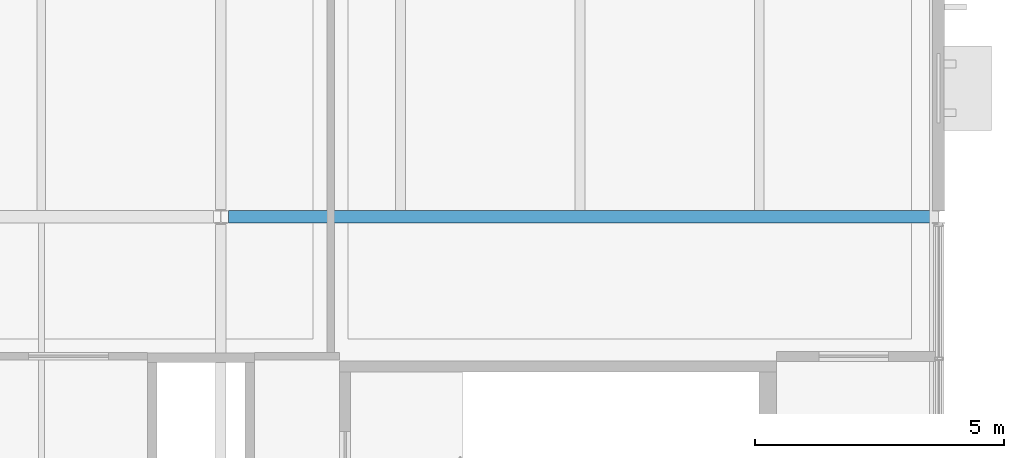
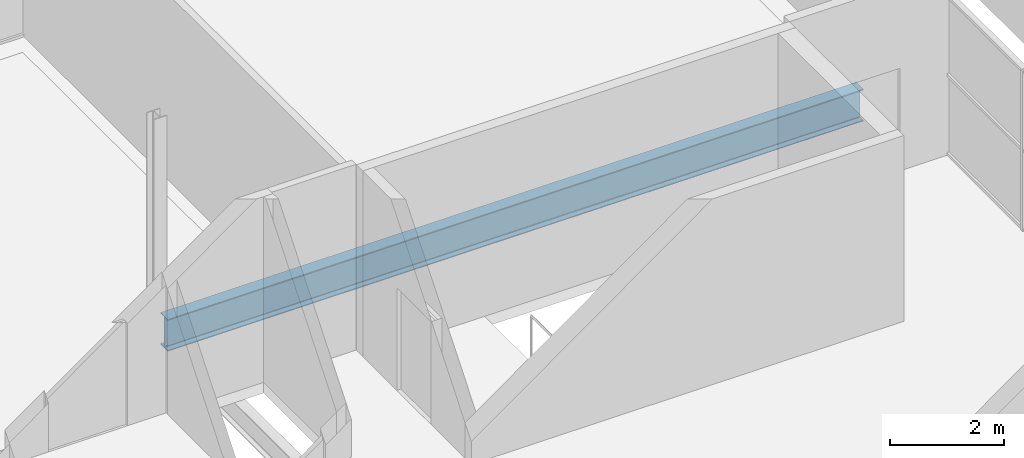
# One storey, part 32 of 43: 1 beam.
"""IFC4 building model written with IfcOpenShell, lengths in metres."""

import ifcopenshell
import ifcopenshell.guid

model = None  # the IFC model being written
_history = None  # IfcOwnerHistory: only IFC2X3 demands one
_inside = {}  # id of a spatial element -> (the spatial element, [elements in it])
_under = {}  # id of a project, library or spatial element -> (it, [spatial elements below it])
_declared = {}  # id of a project -> (the project, [libraries it declares])
_typed = {}  # id of a type object -> (the type object, [elements of that type])
_made_of = {}  # id of a material, layer set ... -> (it, [elements and type objects made of it])


def new_model(schema):
    """Start an empty IFC model of exactly this schema.

    Asked for "IFC4X3", IfcOpenShell would pick the latest addendum, in which some entities
    have other attributes; the version numbers below select the first issue.
    IFC2X3 requires an IfcOwnerHistory on every rooted entity: one is made here for all.
    """
    global model, _history
    if schema == "IFC4X3":
        model = ifcopenshell.file(schema_version=(4, 3, 0, 0))
    else:
        model = ifcopenshell.file(schema=schema)
    _inside.clear()
    _under.clear()
    _declared.clear()
    _typed.clear()
    _made_of.clear()
    _history = None
    if model.schema == "IFC2X3":
        org = make("IfcOrganization", Name="unknown")
        user = make(
            "IfcPersonAndOrganization",
            ThePerson=make("IfcPerson", FamilyName="unknown"),
            TheOrganization=org,
        )
        app = make(
            "IfcApplication",
            ApplicationDeveloper=org,
            Version="unknown",
            ApplicationFullName="unknown",
            ApplicationIdentifier="unknown",
        )
        _history = make(
            "IfcOwnerHistory",
            OwningUser=user,
            OwningApplication=app,
            ChangeAction="ADDED",
            CreationDate=0,
        )
    return model


def make(cls, **values):
    """One entity of the class cls with the attributes given. An attribute that is None is left unset."""
    return model.create_entity(
        cls, **{name: value for name, value in values.items() if value is not None}
    )


def rooted(cls, **values):
    """An entity with a GlobalId (a new one), such as an element, a storey or a relation."""
    return make(cls, GlobalId=ifcopenshell.guid.new(), OwnerHistory=_history, **values)


def si_unit(unit_type, name, prefix=None):
    """IfcSIUnit, for example si_unit("LENGTHUNIT", "METRE", prefix="MILLI")."""
    return make("IfcSIUnit", UnitType=unit_type, Prefix=prefix, Name=name)


def assignment(units):
    """IfcUnitAssignment: the units of a project."""
    return None if units is None else make("IfcUnitAssignment", Units=units)


def point(xyz):
    """IfcCartesianPoint."""
    return None if xyz is None else make("IfcCartesianPoint", Coordinates=xyz)


def direction(xyz):
    """IfcDirection."""
    return None if xyz is None else make("IfcDirection", DirectionRatios=xyz)


def frame(location, z_axis=None, x_axis=None):
    """IfcAxis2Placement3D, a coordinate frame: its origin and axes. An axis left out is left unset."""
    return make(
        "IfcAxis2Placement3D",
        Location=point(location),
        Axis=direction(z_axis),
        RefDirection=direction(x_axis),
    )


def frame_2d(location, x_axis=None):
    """IfcAxis2Placement2D, a coordinate frame in the plane: its origin and x axis."""
    return make(
        "IfcAxis2Placement2D", Location=point(location), RefDirection=direction(x_axis)
    )


def origin():
    """The frame at (0, 0, 0) with its axes left unset."""
    return frame((0.0, 0.0, 0.0))


def origin_2d():
    """The frame at (0, 0) in the plane with its x axis left unset."""
    return frame_2d((0.0, 0.0))


def place(relative_to, where):
    """IfcLocalPlacement: puts the frame where relative to a parent placement (None: the world)."""
    return make(
        "IfcLocalPlacement", PlacementRelTo=relative_to, RelativePlacement=where
    )


def context(
    kind, dimensions, precision=None, world=None, true_north=None, identifier=None
):
    """IfcGeometricRepresentationContext, for example the 3D "Model" context."""
    return make(
        "IfcGeometricRepresentationContext",
        ContextIdentifier=identifier,
        ContextType=kind,
        CoordinateSpaceDimension=dimensions,
        Precision=precision,
        WorldCoordinateSystem=world,
        TrueNorth=true_north,
    )


def subcontext(parent, identifier, kind, view, scale=None):
    """IfcGeometricRepresentationSubContext, for example "Body" below "Model"."""
    return make(
        "IfcGeometricRepresentationSubContext",
        ContextIdentifier=identifier,
        ContextType=kind,
        ParentContext=parent,
        TargetScale=scale,
        TargetView=view,
    )


def project(units=None, contexts=None):
    """IfcProject with its units and contexts."""
    return rooted(
        "IfcProject",
        Name="project",
        RepresentationContexts=contexts,
        UnitsInContext=assignment(units),
    )


def spatial(cls, under=None, at=None, **own):
    """A site, building, storey or space (cls), placed at a placement, below another one or the project."""
    s = rooted(cls, ObjectPlacement=at, **own)
    if under is not None:
        _under.setdefault(under.id(), (under, []))[1].append(s)
    return s


def profile(cls, at=None, kind="AREA", **sizes):
    """A parametric profile (cls). Its sizes go by their IFC names, for example OverallWidth=200.0."""
    return make(cls, ProfileType=kind, Position=at, **sizes)


def i_section(**sizes):
    """IfcIShapeProfileDef."""
    return profile("IfcIShapeProfileDef", **sizes)


def extrude(swept, where, along, depth):
    """IfcExtrudedAreaSolid: the profile swept, set in the frame where, extruded along a direction by depth."""
    return make(
        "IfcExtrudedAreaSolid",
        SweptArea=swept,
        Position=where,
        ExtrudedDirection=direction(along),
        Depth=depth,
    )


def shape(context_of_items, identifier, shape_type, items):
    """IfcShapeRepresentation: the items that make up one representation, for example the "Body"."""
    return make(
        "IfcShapeRepresentation",
        ContextOfItems=context_of_items,
        RepresentationIdentifier=identifier,
        RepresentationType=shape_type,
        Items=items,
    )


def material(Name=None, Category=None):
    """IfcMaterial."""
    return make("IfcMaterial", Name=Name, Category=Category)


def material_profile(
    of_material, cross_section, Name=None, Category=None, Priority=None
):
    """IfcMaterialProfile: a cross section and its material."""
    return make(
        "IfcMaterialProfile",
        Name=Name,
        Material=of_material,
        Profile=cross_section,
        Priority=Priority,
        Category=Category,
    )


def profile_set(profiles, Name=None, composite=None):
    """IfcMaterialProfileSet."""
    return make(
        "IfcMaterialProfileSet",
        Name=Name,
        MaterialProfiles=profiles,
        CompositeProfile=composite,
    )


def made_of(thing, what):
    """Note that an element or type object is made of a material, layer set ...; save() writes the relation."""
    if what is not None:
        _made_of.setdefault(what.id(), (what, []))[1].append(thing)
    return thing


def type_object(cls, material=None, **own):
    """A type object (cls), such as IfcWallType, which elements share."""
    return made_of(rooted(cls, **own), material)


def element(
    cls,
    number,
    at=None,
    inside=None,
    cuts=None,
    type_object=None,
    material=None,
    context=None,
    identifier="Body",
    shape_type=None,
    held_by="IfcProductDefinitionShape",
    body=None,
    shapes=None,
    **own,
):
    """One element of the class cls, such as IfcWall. Its Tag is "e" and its number.

    at: its placement. inside: the storey or other place that contains it. cuts: it is an
    opening in that element (IfcRelVoidsElement). A single representation is given by context,
    identifier, shape_type and body (its items); several are given by shapes. held_by: the class
    of the entity that holds the representations. save() writes the other relations.
    """
    e = rooted(cls, Tag="e%d" % number, ObjectPlacement=at, **own)
    if body is not None:
        shapes = [shape(context, identifier, shape_type, body)]
    if shapes is not None:
        e.Representation = make(held_by, Representations=shapes)
    if inside is not None:
        _inside.setdefault(inside.id(), (inside, []))[1].append(e)
    if cuts is not None:
        rooted(
            "IfcRelVoidsElement", RelatingBuildingElement=cuts, RelatedOpeningElement=e
        )
    if type_object is not None:
        _typed.setdefault(type_object.id(), (type_object, []))[1].append(e)
    return made_of(e, material)


def aggregate(whole, parts):
    """IfcRelAggregates: a whole, such as a stair, and the parts it consists of."""
    return rooted("IfcRelAggregates", RelatingObject=whole, RelatedObjects=parts)


def save(model, path):
    """Write the relations noted so far, then the file.

    IfcRelAggregates (storeys below a building ...), IfcRelContainedInSpatialStructure (elements
    in a storey), IfcRelDefinesByType, IfcRelAssociatesMaterial and IfcRelDeclares: one each for
    every whole, place, type object, material and project.
    """
    for whole, parts in _under.values():
        aggregate(whole, parts)
    for where, things in _inside.values():
        rooted(
            "IfcRelContainedInSpatialStructure",
            RelatedElements=things,
            RelatingStructure=where,
        )
    for kind, things in _typed.values():
        rooted("IfcRelDefinesByType", RelatedObjects=things, RelatingType=kind)
    for what, things in _made_of.values():
        rooted("IfcRelAssociatesMaterial", RelatedObjects=things, RelatingMaterial=what)
    for by, libraries in _declared.values():
        rooted("IfcRelDeclares", RelatingContext=by, RelatedDefinitions=libraries)
    model.write(path)


model = new_model("IFC4")

# Units and contexts
model_context = context("Model", 3, precision=1e-05, world=origin(), true_north=direction((0.0, 1.0)))
body_context = subcontext(model_context, "Body", "Model", "MODEL_VIEW")
ifc_project = project(units=[si_unit("LENGTHUNIT", "METRE"), si_unit("AREAUNIT", "SQUARE_METRE"), si_unit("VOLUMEUNIT", "CUBIC_METRE"), si_unit("PLANEANGLEUNIT", "RADIAN"), si_unit("MASSUNIT", "GRAM", prefix="KILO"), si_unit("THERMODYNAMICTEMPERATUREUNIT", "KELVIN")], contexts=[model_context])

# Site, building, storey
site_placement = place(None, origin())
site = spatial("IfcSite", under=ifc_project, at=site_placement, CompositionType="ELEMENT")
building_placement = place(site_placement, origin())
building = spatial("IfcBuilding", under=site, at=building_placement, Name="Nduvali Passage Aquatics Centre", CompositionType="ELEMENT")
storey_placement = place(building_placement, frame((0.0, 0.0, 17.39990234375)))
storey = spatial("IfcBuildingStorey", under=building, at=storey_placement, Name="L04", CompositionType="ELEMENT", Elevation=17.39990234375)

# Beam
ifc_material = material(Name="Steel S355", Category="steel")
ifc_material_profile = material_profile(ifc_material, i_section(OverallWidth=0.253662109375, OverallDepth=0.68359375, WebThickness=0.012451171875, FlangeThickness=0.01904296875, FilletRadius=0.01513671875, at=origin_2d()), Name="UKB 686x254x140")
ifc_profile_set = profile_set([ifc_material_profile], Name="Steel S355")
beam_type = type_object("IfcBeamType", Name="STR-BM-UKB686", PredefinedType="BEAM", material=ifc_profile_set)
beam_placement = place(storey_placement, frame((111.75, 109.199951171875, -0.57568359375), z_axis=(1.0, 0.0, 0.0), x_axis=(0.0, 1.0, 0.0)))
element("IfcBeam", 1, at=beam_placement, inside=storey, type_object=beam_type, Name="L04 Primary X-Girder B4-1347", PredefinedType="BEAM", context=body_context, shape_type="SweptSolid", body=[
    extrude(i_section(OverallWidth=0.253662109375, OverallDepth=0.68359375, WebThickness=0.012451171875, FlangeThickness=0.01904296875, FilletRadius=0.01513671875, at=origin_2d()), origin(), (0.0, 0.0, 1.0), 14.10009765625),
])

save(model, "model.ifc")
